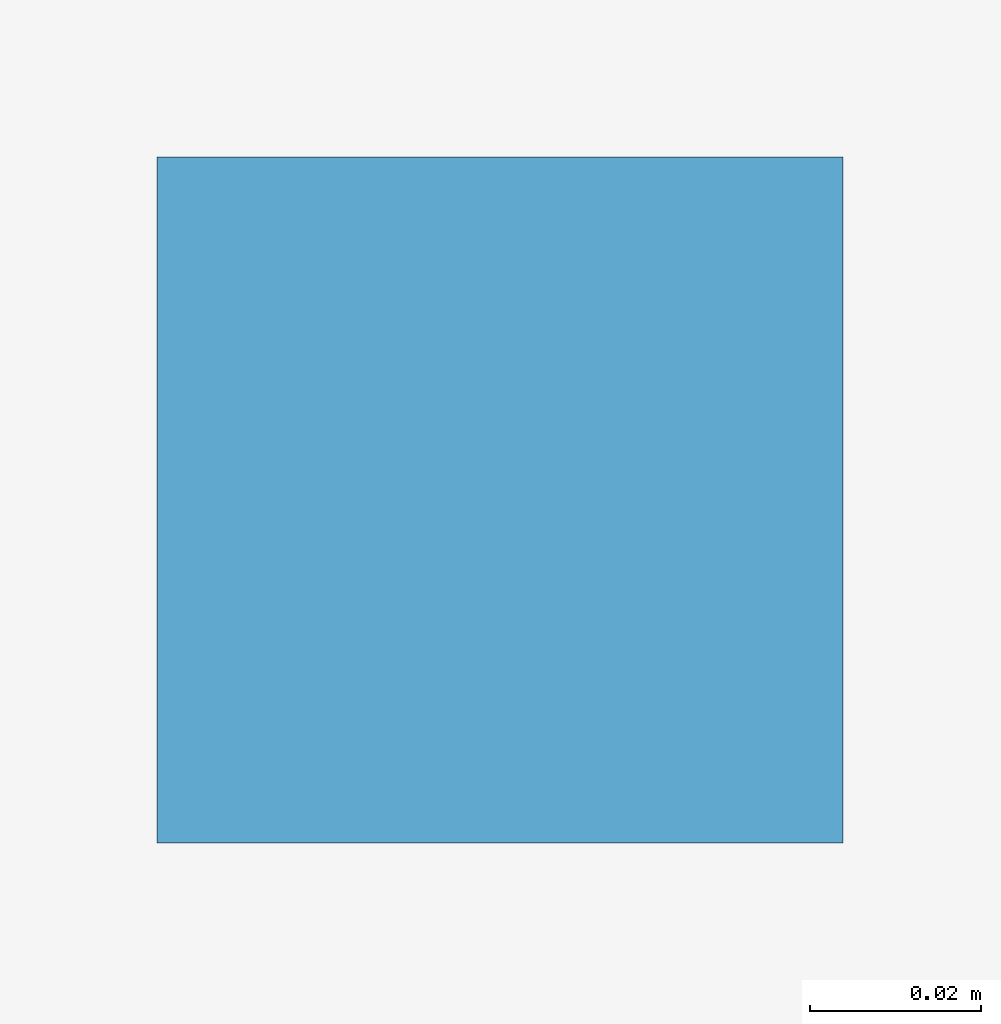
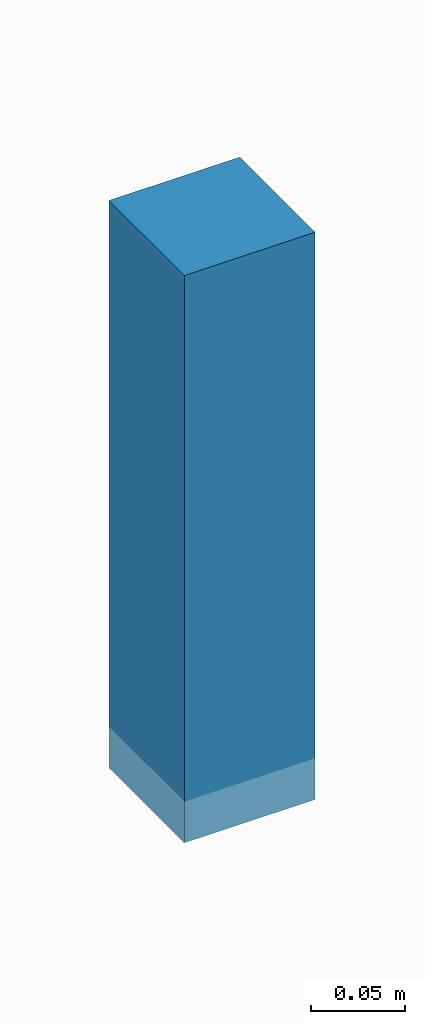
# One storey, part 141 of 157: 1 discrete accessory.
"""IFC4 building model written with IfcOpenShell, lengths in metres."""

from ifc_helpers import new_model, si_unit, direction, frame, origin, origin_2d, place, context, subcontext, project, spatial, rectangle, extrude, material, type_object, element, save


model = new_model("IFC4")

# Units and contexts
model_context = context("Model", 3, precision=1e-05, world=origin(), true_north=direction((0.0, 1.0)))
body_context = subcontext(model_context, "Body", "Model", "MODEL_VIEW")
ifc_project = project(units=[si_unit("LENGTHUNIT", "METRE"), si_unit("AREAUNIT", "SQUARE_METRE"), si_unit("VOLUMEUNIT", "CUBIC_METRE"), si_unit("PLANEANGLEUNIT", "RADIAN"), si_unit("MASSUNIT", "GRAM", prefix="KILO")], contexts=[model_context])

# Site, building, storey
site_placement = place(None, origin())
site = spatial("IfcSite", under=ifc_project, at=site_placement, CompositionType="ELEMENT")
building_placement = place(site_placement, origin())
building = spatial("IfcBuilding", under=site, at=building_placement, Name="Chalmorin Arch Market", CompositionType="ELEMENT")
storey_placement = place(building_placement, frame((0.0, 0.0, 4.800048828125)))
storey = spatial("IfcBuildingStorey", under=building, at=storey_placement, Name="L01", CompositionType="ELEMENT", Elevation=4.800048828125)

# Discrete accessory
ifc_material = material(Name="Galvanized Cold-Formed Steel", Category="steel")
discrete_accessory_type = type_object("IfcDiscreteAccessoryType", Name="CeilingSuspensionBracket-80x80", PredefinedType="BRACKET", material=ifc_material)
discrete_accessory_placement = place(storey_placement, frame((58.89990234375, 12.85009765625, 4.2529296875), z_axis=(0.0, 0.0, 1.0), x_axis=(1.0, 0.0, 0.0)))
element("IfcDiscreteAccessory", 1, at=discrete_accessory_placement, inside=storey, type_object=discrete_accessory_type, Name="CSB-141", PredefinedType="BRACKET", context=body_context, shape_type="SweptSolid", body=[
    extrude(rectangle(XDim=0.080078125, YDim=0.080078125, at=origin_2d()), origin(), (0.0, 0.0, 1.0), 0.366943359375),
])

save(model, "model.ifc")
